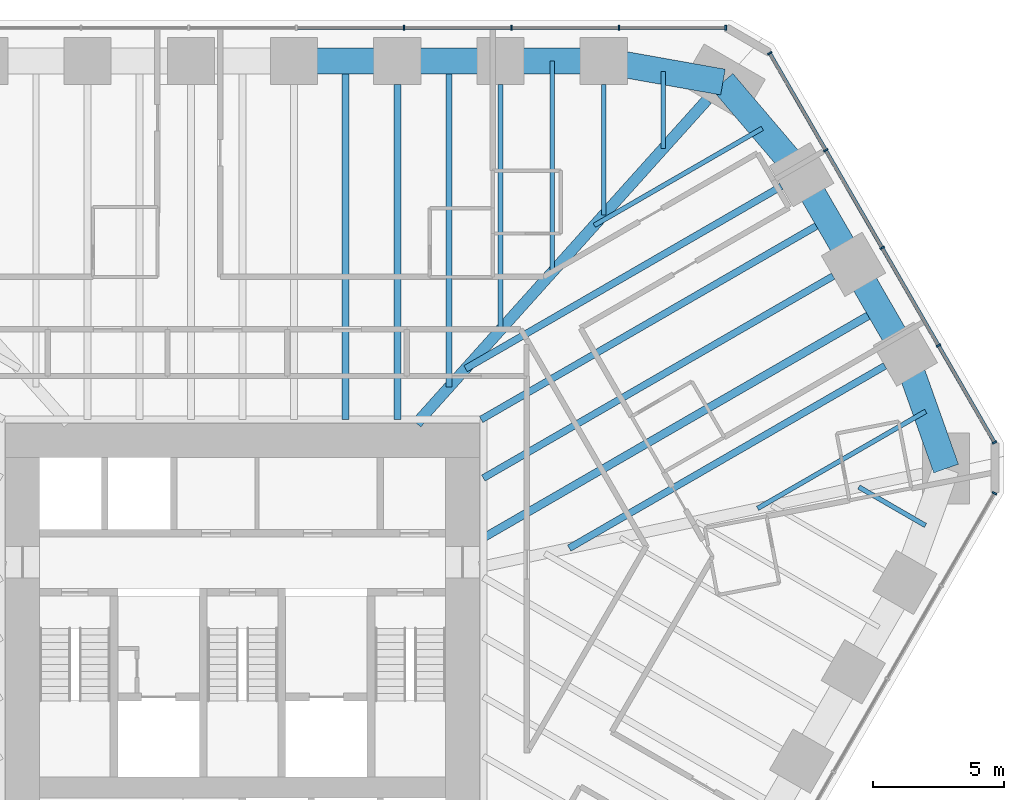
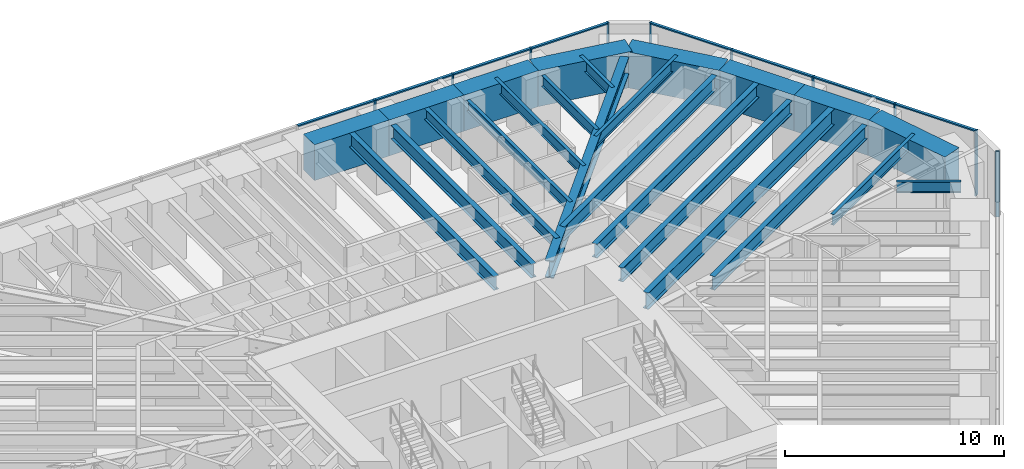
# One storey, part 9 of 17: 24 beams, 18 members, 3 elements without a shape of their own.
"""IFC4 building model written with IfcOpenShell, lengths in metres."""

from ifc_helpers import new_model, si_unit, direction, frame, origin, origin_2d, place, context, subcontext, project, spatial, rectangle, i_section, extrude, material, material_profile, profile_set, type_object, element, aggregate, save


model = new_model("IFC4")

# Units and contexts
model_context = context("Model", 3, precision=1e-05, world=origin(), true_north=direction((0.0, 1.0)))
body_context = subcontext(model_context, "Body", "Model", "MODEL_VIEW")
ifc_project = project(units=[si_unit("LENGTHUNIT", "METRE"), si_unit("AREAUNIT", "SQUARE_METRE"), si_unit("VOLUMEUNIT", "CUBIC_METRE"), si_unit("PLANEANGLEUNIT", "RADIAN"), si_unit("MASSUNIT", "GRAM", prefix="KILO")], contexts=[model_context])

# Site, building, storey
site_placement = place(None, origin())
site = spatial("IfcSite", under=ifc_project, at=site_placement, CompositionType="ELEMENT")
building_placement = place(site_placement, origin())
building = spatial("IfcBuilding", under=site, at=building_placement, Name="Sandreach Pilgrim Tower", CompositionType="ELEMENT")
storey_placement = place(building_placement, frame((0.0, 0.0, 146.199951171875)))
storey = spatial("IfcBuildingStorey", under=building, at=storey_placement, Name="L36", CompositionType="ELEMENT", Elevation=146.199951171875)

# Curtain wall, members
ifc_material_1 = material(Name="Aluminium framed curtain wall", Category="aluminium")
curtain_wall_type = type_object("IfcCurtainWallType", Name="Hotel tower curtain wall", PredefinedType="NOTDEFINED", material=ifc_material_1)
curtain_wall_1_placement = place(storey_placement, origin())
curtain_wall_1 = element("IfcCurtainWall", 1, at=curtain_wall_1_placement, inside=storey, type_object=curtain_wall_type, Name="CW-2 L36 N", PredefinedType="NOTDEFINED")
ifc_material_2 = material(Name="Aluminium extrusion", Category="aluminium")
ifc_material_profile_1 = material_profile(ifc_material_2, rectangle(XDim=0.06494140625, YDim=0.179931640625, at=origin_2d()), Name="CW-2M 65X180")
ifc_profile_set_1 = profile_set([ifc_material_profile_1], Name="Aluminium extrusion")
member_type_1 = type_object("IfcMemberType", Name="CW-2 mullion", PredefinedType="MULLION", material=ifc_profile_set_1)
member_1_placement = place(storey_placement, frame((6.160400390625, 22.493896484375, 0.0), z_axis=(0.0, 0.0, 1.0), x_axis=(1.0, 0.0, 0.0)))
member_1 = element("IfcMember", 2, at=member_1_placement, type_object=member_type_1, Name="CW-2 mullion 7", PredefinedType="MULLION", context=body_context, shape_type="SweptSolid", body=[
    extrude(rectangle(XDim=0.06494140625, YDim=0.179931640625, at=origin_2d()), origin(), (0.0, 0.0, 1.0), 3.64013671875),
])
member_2_placement = place(storey_placement, frame((10.267333984375, 22.493896484375, 0.0), z_axis=(0.0, 0.0, 1.0), x_axis=(1.0, 0.0, 0.0)))
member_2 = element("IfcMember", 3, at=member_2_placement, type_object=member_type_1, Name="CW-2 mullion 8", PredefinedType="MULLION", context=body_context, shape_type="SweptSolid", body=[
    extrude(rectangle(XDim=0.06494140625, YDim=0.179931640625, at=origin_2d()), origin(), (0.0, 0.0, 1.0), 3.64013671875),
])
member_3_placement = place(storey_placement, frame((14.37451171875, 22.493896484375, 0.0), z_axis=(0.0, 0.0, 1.0), x_axis=(1.0, 0.0, 0.0)))
member_3 = element("IfcMember", 4, at=member_3_placement, type_object=member_type_1, Name="CW-2 mullion 9", PredefinedType="MULLION", context=body_context, shape_type="SweptSolid", body=[
    extrude(rectangle(XDim=0.06494140625, YDim=0.179931640625, at=origin_2d()), origin(), (0.0, 0.0, 1.0), 3.64013671875),
])
member_4_placement = place(storey_placement, frame((18.448974609375, 22.493896484375, 0.0), z_axis=(0.0, 0.0, 1.0), x_axis=(1.0, 0.0, 0.0)))
member_4 = element("IfcMember", 5, at=member_4_placement, type_object=member_type_1, Name="CW-2 mullion 10", PredefinedType="MULLION", context=body_context, shape_type="SweptSolid", body=[
    extrude(rectangle(XDim=0.06494140625, YDim=0.179931640625, at=origin_2d()), origin(), (0.0, 0.0, 1.0), 3.64013671875),
])

curtain_wall_2_placement = place(storey_placement, origin())
curtain_wall_2 = element("IfcCurtainWall", 6, at=curtain_wall_2_placement, inside=storey, type_object=curtain_wall_type, Name="CW-2 L36 NE", PredefinedType="NOTDEFINED")
member_5_placement = place(storey_placement, frame((20.125732421875, 21.525634765625, 0.0), z_axis=(0.0, 0.0, 1.0), x_axis=(0.5, -0.866025403784, 0.0)))
member_5 = element("IfcMember", 7, at=member_5_placement, type_object=member_type_1, Name="CW-2 mullion 1", PredefinedType="MULLION", context=body_context, shape_type="SweptSolid", body=[
    extrude(rectangle(XDim=0.06494140625, YDim=0.179931640625, at=origin_2d()), origin(), (0.0, 0.0, 1.0), 3.64013671875),
])
member_6_placement = place(storey_placement, frame((22.262451171875, 17.824951171875, 0.0), z_axis=(0.0, 0.0, 1.0), x_axis=(0.5, -0.866025403784, 0.0)))
member_6 = element("IfcMember", 8, at=member_6_placement, type_object=member_type_1, Name="CW-2 mullion 2", PredefinedType="MULLION", context=body_context, shape_type="SweptSolid", body=[
    extrude(rectangle(XDim=0.06494140625, YDim=0.179931640625, at=origin_2d()), origin(), (0.0, 0.0, 1.0), 3.64013671875),
])
member_7_placement = place(storey_placement, frame((24.415283203125, 14.09619140625, 0.0), z_axis=(0.0, 0.0, 1.0), x_axis=(0.5, -0.866025403784, 0.0)))
member_7 = element("IfcMember", 9, at=member_7_placement, type_object=member_type_1, Name="CW-2 mullion 3", PredefinedType="MULLION", context=body_context, shape_type="SweptSolid", body=[
    extrude(rectangle(XDim=0.06494140625, YDim=0.179931640625, at=origin_2d()), origin(), (0.0, 0.0, 1.0), 3.64013671875),
])
member_8_placement = place(storey_placement, frame((26.568115234375, 10.3671875, 0.0), z_axis=(0.0, 0.0, 1.0), x_axis=(0.5, -0.866025403784, 0.0)))
member_8 = element("IfcMember", 10, at=member_8_placement, type_object=member_type_1, Name="CW-2 mullion 4", PredefinedType="MULLION", context=body_context, shape_type="SweptSolid", body=[
    extrude(rectangle(XDim=0.06494140625, YDim=0.179931640625, at=origin_2d()), origin(), (0.0, 0.0, 1.0), 3.64013671875),
])
member_9_placement = place(storey_placement, frame((28.70458984375, 6.66650390625, 0.0), z_axis=(0.0, 0.0, 1.0), x_axis=(0.5, -0.866025403784, 0.0)))
member_9 = element("IfcMember", 11, at=member_9_placement, type_object=member_type_1, Name="CW-2 mullion 5", PredefinedType="MULLION", context=body_context, shape_type="SweptSolid", body=[
    extrude(rectangle(XDim=0.06494140625, YDim=0.179931640625, at=origin_2d()), origin(), (0.0, 0.0, 1.0), 3.64013671875),
])

# Curtain wall, member
curtain_wall_3_placement = place(storey_placement, origin())
curtain_wall_3 = element("IfcCurtainWall", 12, at=curtain_wall_3_placement, inside=storey, type_object=curtain_wall_type, Name="CW-2 L36 SE", PredefinedType="NOTDEFINED")
member_10_placement = place(storey_placement, frame((28.70458984375, 4.730224609375, 0.0), z_axis=(0.0, 0.0, 1.0), x_axis=(-0.5, -0.866025403784, 0.0)))
member_10 = element("IfcMember", 13, at=member_10_placement, type_object=member_type_1, Name="CW-2 mullion 1", PredefinedType="MULLION", context=body_context, shape_type="SweptSolid", body=[
    extrude(rectangle(XDim=0.06494140625, YDim=0.179931640625, at=origin_2d()), origin(), (0.0, 0.0, 1.0), 3.64013671875),
])
aggregate(curtain_wall_3, [member_10])

# Member
ifc_material_3 = material(Name="Aluminium extrusion", Category="aluminium")
ifc_material_profile_2 = material_profile(ifc_material_3, rectangle(XDim=0.139892578125, YDim=0.070068359375, at=origin_2d()), Name="CW-2T 140X70")
ifc_profile_set_2 = profile_set([ifc_material_profile_2], Name="Aluminium extrusion")
member_type_2 = type_object("IfcMemberType", Name="CW-2 transom", PredefinedType="USERDEFINED", material=ifc_profile_set_2)
member_11_placement = place(storey_placement, frame((2.0859375, 22.493896484375, 3.60498046875), z_axis=(1.0, 0.0, 0.0), x_axis=(0.0, 1.0, 0.0)))
member_11 = element("IfcMember", 14, at=member_11_placement, type_object=member_type_2, Name="CW-2 head transom 6", ObjectType="TRANSOM", PredefinedType="USERDEFINED", context=body_context, shape_type="SweptSolid", body=[
    extrude(rectangle(XDim=0.139892578125, YDim=0.070068359375, at=origin_2d()), origin(), (0.0, 0.0, 1.0), 4.0419921875),
])

member_12_placement = place(storey_placement, frame((6.19287109375, 22.493896484375, 3.60498046875), z_axis=(1.0, 0.0, 0.0), x_axis=(0.0, 1.0, 0.0)))
member_12 = element("IfcMember", 15, at=member_12_placement, type_object=member_type_2, Name="CW-2 head transom 7", ObjectType="TRANSOM", PredefinedType="USERDEFINED", context=body_context, shape_type="SweptSolid", body=[
    extrude(rectangle(XDim=0.139892578125, YDim=0.070068359375, at=origin_2d()), origin(), (0.0, 0.0, 1.0), 4.0419921875),
])

member_13_placement = place(storey_placement, frame((10.300048828125, 22.493896484375, 3.60498046875), z_axis=(1.0, 0.0, 0.0), x_axis=(0.0, 1.0, 0.0)))
member_13 = element("IfcMember", 16, at=member_13_placement, type_object=member_type_2, Name="CW-2 head transom 8", ObjectType="TRANSOM", PredefinedType="USERDEFINED", context=body_context, shape_type="SweptSolid", body=[
    extrude(rectangle(XDim=0.139892578125, YDim=0.070068359375, at=origin_2d()), origin(), (0.0, 0.0, 1.0), 4.041748046875),
])

member_14_placement = place(storey_placement, frame((14.406982421875, 22.493896484375, 3.60498046875), z_axis=(1.0, 0.0, 0.0), x_axis=(0.0, 1.0, 0.0)))
member_14 = element("IfcMember", 17, at=member_14_placement, type_object=member_type_2, Name="CW-2 head transom 9", ObjectType="TRANSOM", PredefinedType="USERDEFINED", context=body_context, shape_type="SweptSolid", body=[
    extrude(rectangle(XDim=0.139892578125, YDim=0.070068359375, at=origin_2d()), origin(), (0.0, 0.0, 1.0), 4.00927734375),
])

aggregate(curtain_wall_1, [member_1, member_2, member_3, member_4, member_11, member_12, member_13, member_14])

member_15_placement = place(storey_placement, frame((20.14208984375, 21.49755859375, 3.60498046875), z_axis=(0.49997020258, -0.86604260665, 0.0), x_axis=(0.86604260665, 0.49997020258, 0.0)))
member_15 = element("IfcMember", 18, at=member_15_placement, type_object=member_type_2, Name="CW-2 head transom 1", ObjectType="TRANSOM", PredefinedType="USERDEFINED", context=body_context, shape_type="SweptSolid", body=[
    extrude(rectangle(XDim=0.139892578125, YDim=0.070068359375, at=origin_2d()), origin(), (0.0, 0.0, 1.0), 4.208251953125),
])

member_16_placement = place(storey_placement, frame((22.278564453125, 17.796875, 3.60498046875), z_axis=(0.499996541496, -0.866027400544, 0.0), x_axis=(0.866027400544, 0.499996541496, 0.0)))
member_16 = element("IfcMember", 19, at=member_16_placement, type_object=member_type_2, Name="CW-2 head transom 2", ObjectType="TRANSOM", PredefinedType="USERDEFINED", context=body_context, shape_type="SweptSolid", body=[
    extrude(rectangle(XDim=0.139892578125, YDim=0.070068359375, at=origin_2d()), origin(), (0.0, 0.0, 1.0), 4.24072265625),
])

member_17_placement = place(storey_placement, frame((24.431396484375, 14.06787109375, 3.60498046875), z_axis=(0.500021471012, -0.866013007135, 0.0), x_axis=(0.866013007135, 0.500021471012, 0.0)))
member_17 = element("IfcMember", 20, at=member_17_placement, type_object=member_type_2, Name="CW-2 head transom 3", ObjectType="TRANSOM", PredefinedType="USERDEFINED", context=body_context, shape_type="SweptSolid", body=[
    extrude(rectangle(XDim=0.139892578125, YDim=0.070068359375, at=origin_2d()), origin(), (0.0, 0.0, 1.0), 4.240478515625),
])

member_18_placement = place(storey_placement, frame((26.584228515625, 10.339111328125, 3.60498046875), z_axis=(0.500038835258, -0.866002981077, 0.0), x_axis=(0.866002981077, 0.500038835258, 0.0)))
member_18 = element("IfcMember", 21, at=member_18_placement, type_object=member_type_2, Name="CW-2 head transom 4", ObjectType="TRANSOM", PredefinedType="USERDEFINED", context=body_context, shape_type="SweptSolid", body=[
    extrude(rectangle(XDim=0.139892578125, YDim=0.070068359375, at=origin_2d()), origin(), (0.0, 0.0, 1.0), 4.208251953125),
])

aggregate(curtain_wall_2, [member_5, member_6, member_7, member_8, member_9, member_15, member_16, member_17, member_18])

# Beams
ifc_material_4 = material(Name="Steel ASTM A992 Grade 50", Category="steel")
ifc_material_profile_3 = material_profile(ifc_material_4, i_section(OverallWidth=0.424072265625, OverallDepth=0.965087890625, WebThickness=0.028564453125, FlangeThickness=0.051025390625, at=origin_2d()), Name="W36X361")
ifc_profile_set_3 = profile_set([ifc_material_profile_3], Name="Steel ASTM A992 Grade 50")
beam_type_1 = type_object("IfcBeamType", Name="Corner girder W36X361", PredefinedType="BEAM", material=ifc_profile_set_3)
beam_1_placement = place(storey_placement, frame((17.738037109375, 19.754150390625, 3.157470703125), z_axis=(-0.66811374471, -0.74405915365, 0.0), x_axis=(0.74405915365, -0.66811374471, 0.0)))
element("IfcBeam", 22, at=beam_1_placement, inside=storey, type_object=beam_type_1, Name="BM L36 CG09", PredefinedType="BEAM", context=body_context, shape_type="SweptSolid", body=[
    extrude(i_section(OverallWidth=0.424072265625, OverallDepth=0.965087890625, WebThickness=0.028564453125, FlangeThickness=0.051025390625, at=origin_2d()), origin(), (0.0, 0.0, 1.0), 16.603759765625),
])
ifc_material_5 = material(Name="Steel ASTM A992 Grade 50", Category="steel")
ifc_material_profile_4 = material_profile(ifc_material_5, i_section(OverallWidth=0.1787109375, OverallDepth=0.60205078125, WebThickness=0.010986328125, FlangeThickness=0.014892578125, at=origin_2d()), Name="W24X62")
ifc_profile_set_4 = profile_set([ifc_material_profile_4], Name="Steel ASTM A992 Grade 50")
beam_type_2 = type_object("IfcBeamType", Name="Floor beam W24X62", PredefinedType="BEAM", material=ifc_profile_set_4)
beam_2_placement = place(storey_placement, frame((9.849853515625, 20.333740234375, 3.339111328125), z_axis=(0.0, -1.0, 0.0), x_axis=(1.0, 0.0, 0.0)))
element("IfcBeam", 23, at=beam_2_placement, inside=storey, type_object=beam_type_2, Name="BM L36 F07", PredefinedType="BEAM", context=body_context, shape_type="SweptSolid", body=[
    extrude(i_section(OverallWidth=0.1787109375, OverallDepth=0.60205078125, WebThickness=0.010986328125, FlangeThickness=0.014892578125, at=origin_2d()), origin(), (0.0, 0.0, 1.0), 9.3642578125),
])
beam_3_placement = place(storey_placement, frame((13.789794921875, 20.333740234375, 3.339111328125), z_axis=(0.0, -1.0, 0.0), x_axis=(1.0, 0.0, 0.0)))
element("IfcBeam", 24, at=beam_3_placement, inside=storey, type_object=beam_type_2, Name="BM L36 F08", PredefinedType="BEAM", context=body_context, shape_type="SweptSolid", body=[
    extrude(i_section(OverallWidth=0.1787109375, OverallDepth=0.60205078125, WebThickness=0.010986328125, FlangeThickness=0.014892578125, at=origin_2d()), origin(), (0.0, 0.0, 1.0), 4.9765625),
])
beam_4_placement = place(storey_placement, frame((11.81982421875, 21.23388671875, 3.339111328125), z_axis=(0.0, -1.0, 0.0), x_axis=(1.0, 0.0, 0.0)))
element("IfcBeam", 25, at=beam_4_placement, inside=storey, type_object=beam_type_2, Name="BM L36 FM07", PredefinedType="BEAM", context=body_context, shape_type="SweptSolid", body=[
    extrude(i_section(OverallWidth=0.1787109375, OverallDepth=0.60205078125, WebThickness=0.010986328125, FlangeThickness=0.014892578125, at=origin_2d()), origin(), (0.0, 0.0, 1.0), 8.070556640625),
])
beam_5_placement = place(storey_placement, frame((16.064697265625, 20.828857421875, 3.339111328125), z_axis=(0.0, -1.0, 0.0), x_axis=(1.0, 0.0, 0.0)))
element("IfcBeam", 26, at=beam_5_placement, inside=storey, type_object=beam_type_2, Name="BM L36 FM08", PredefinedType="BEAM", context=body_context, shape_type="SweptSolid", body=[
    extrude(i_section(OverallWidth=0.1787109375, OverallDepth=0.60205078125, WebThickness=0.010986328125, FlangeThickness=0.014892578125, at=origin_2d()), origin(), (0.0, 0.0, 1.0), 2.938232421875),
])
for number, where, z_axis, x_axis, name in (
    (27, (19.8427734375, 18.65771484375, 3.339111328125), (-0.866025875064, -0.499999183719, 0.0), (0.499999183719, -0.866025875064, 0.0), "BM L36 FM09"),
    (28, (26.079345703125, 7.855712890625, 3.339111328125), (-0.866025875064, -0.499999183719, 0.0), (0.499999183719, -0.866025875064, 0.0), "BM L36 FM12"),
):
    element("IfcBeam", number, at=place(storey_placement, frame(where, z_axis=z_axis, x_axis=x_axis)), inside=storey, type_object=beam_type_2, Name=name, PredefinedType="BEAM", context=body_context, shape_type="SweptSolid", body=[
        extrude(i_section(OverallWidth=0.1787109375, OverallDepth=0.60205078125, WebThickness=0.010986328125, FlangeThickness=0.014892578125, at=origin_2d()), origin(), (0.0, 0.0, 1.0), 7.40771484375),
    ])
beam_6_placement = place(storey_placement, frame((26.070556640625, 3.498046875, 3.339111328125), z_axis=(-0.866051374412, 0.499955014855, 0.0), x_axis=(-0.499955014855, -0.866051374412, 0.0)))
element("IfcBeam", 29, at=beam_6_placement, inside=storey, type_object=beam_type_2, Name="BM L36 FM13", PredefinedType="BEAM", context=body_context, shape_type="SweptSolid", body=[
    extrude(i_section(OverallWidth=0.1787109375, OverallDepth=0.60205078125, WebThickness=0.010986328125, FlangeThickness=0.014892578125, at=origin_2d()), origin(), (0.0, 0.0, 1.0), 2.938232421875),
])
ifc_material_6 = material(Name="Steel ASTM A992 Grade 50", Category="steel")
ifc_material_profile_5 = material_profile(ifc_material_6, i_section(OverallWidth=0.23046875, OverallDepth=0.6171875, WebThickness=0.01318359375, FlangeThickness=0.022216796875, at=origin_2d()), Name="W24X94")
ifc_profile_set_5 = profile_set([ifc_material_profile_5], Name="Steel ASTM A992 Grade 50")
beam_type_3 = type_object("IfcBeamType", Name="Floor beam W24X94", PredefinedType="BEAM", material=ifc_profile_set_5)
beam_7_placement = place(storey_placement, frame((7.8798828125, 21.23388671875, 3.33154296875), z_axis=(0.0, -1.0, 0.0), x_axis=(1.0, 0.0, 0.0)))
element("IfcBeam", 30, at=beam_7_placement, inside=storey, type_object=beam_type_3, Name="BM L36 FM06", PredefinedType="BEAM", context=body_context, shape_type="SweptSolid", body=[
    extrude(i_section(OverallWidth=0.23046875, OverallDepth=0.6171875, WebThickness=0.01318359375, FlangeThickness=0.022216796875, at=origin_2d()), origin(), (0.0, 0.0, 1.0), 12.458251953125),
])
ifc_material_7 = material(Name="Steel ASTM A992 Grade 50", Category="steel")
ifc_material_profile_6 = material_profile(ifc_material_7, i_section(OverallWidth=0.2666015625, OverallDepth=0.761962890625, WebThickness=0.014404296875, FlangeThickness=0.021484375, at=origin_2d()), Name="W30X116")
ifc_profile_set_6 = profile_set([ifc_material_profile_6], Name="Steel ASTM A992 Grade 50")
beam_type_4 = type_object("IfcBeamType", Name="Floor beam W30X116", PredefinedType="BEAM", material=ifc_profile_set_6)
beam_8_placement = place(storey_placement, frame((5.909912109375, 20.333740234375, 3.259033203125), z_axis=(0.0, -1.0, 0.0), x_axis=(1.0, 0.0, 0.0)))
element("IfcBeam", 31, at=beam_8_placement, inside=storey, type_object=beam_type_4, Name="BM L36 F06", PredefinedType="BEAM", context=body_context, shape_type="SweptSolid", body=[
    extrude(i_section(OverallWidth=0.2666015625, OverallDepth=0.761962890625, WebThickness=0.014404296875, FlangeThickness=0.021484375, at=origin_2d()), origin(), (0.0, 0.0, 1.0), 12.790283203125),
])
beam_9_placement = place(storey_placement, frame((20.56689453125, 16.44140625, 3.259033203125), z_axis=(-0.866022263426, -0.500005439221, 0.0), x_axis=(0.500005439221, -0.866022263426, 0.0)))
element("IfcBeam", 32, at=beam_9_placement, inside=storey, type_object=beam_type_4, Name="BM L36 F10", PredefinedType="BEAM", context=body_context, shape_type="SweptSolid", body=[
    extrude(i_section(OverallWidth=0.2666015625, OverallDepth=0.761962890625, WebThickness=0.014404296875, FlangeThickness=0.021484375, at=origin_2d()), origin(), (0.0, 0.0, 1.0), 13.915283203125),
])
beam_10_placement = place(storey_placement, frame((24.522216796875, 9.5908203125, 3.259033203125), z_axis=(-0.866026649588, -0.499997842199, 0.0), x_axis=(0.499997842199, -0.866026649588, 0.0)))
element("IfcBeam", 33, at=beam_10_placement, inside=storey, type_object=beam_type_4, Name="BM L36 F12", PredefinedType="BEAM", context=body_context, shape_type="SweptSolid", body=[
    extrude(i_section(OverallWidth=0.2666015625, OverallDepth=0.761962890625, WebThickness=0.014404296875, FlangeThickness=0.021484375, at=origin_2d()), origin(), (0.0, 0.0, 1.0), 13.91552734375),
])
beam_11_placement = place(storey_placement, frame((3.93994140625, 21.23388671875, 3.259033203125), z_axis=(0.0, -1.0, 0.0), x_axis=(1.0, 0.0, 0.0)))
element("IfcBeam", 34, at=beam_11_placement, inside=storey, type_object=beam_type_4, Name="BM L36 FM05", PredefinedType="BEAM", context=body_context, shape_type="SweptSolid", body=[
    extrude(i_section(OverallWidth=0.2666015625, OverallDepth=0.761962890625, WebThickness=0.014404296875, FlangeThickness=0.021484375, at=origin_2d()), origin(), (0.0, 0.0, 1.0), 13.6904296875),
])
ifc_material_8 = material(Name="Steel ASTM A992 Grade 50", Category="steel")
ifc_material_profile_7 = material_profile(ifc_material_8, i_section(OverallWidth=0.2666015625, OverallDepth=0.77978515625, WebThickness=0.0166015625, FlangeThickness=0.030029296875, at=origin_2d()), Name="W30X148")
ifc_profile_set_7 = profile_set([ifc_material_profile_7], Name="Steel ASTM A992 Grade 50")
beam_type_5 = type_object("IfcBeamType", Name="Floor beam W30X148", PredefinedType="BEAM", material=ifc_profile_set_7)
beam_12_placement = place(storey_placement, frame((22.544677734375, 13.01611328125, 3.250244140625), z_axis=(-0.866029203842, -0.49999341805, 0.0), x_axis=(0.49999341805, -0.866029203842, 0.0)))
element("IfcBeam", 35, at=beam_12_placement, inside=storey, type_object=beam_type_5, Name="BM L36 F11", PredefinedType="BEAM", context=body_context, shape_type="SweptSolid", body=[
    extrude(i_section(OverallWidth=0.2666015625, OverallDepth=0.77978515625, WebThickness=0.0166015625, FlangeThickness=0.030029296875, at=origin_2d()), origin(), (0.0, 0.0, 1.0), 15.416748046875),
])
beam_13_placement = place(storey_placement, frame((22.335205078125, 15.1787109375, 3.250244140625), z_axis=(-0.866028773314, -0.499994163758, 0.0), x_axis=(0.499994163758, -0.866028773314, 0.0)))
element("IfcBeam", 36, at=beam_13_placement, inside=storey, type_object=beam_type_5, Name="BM L36 FM10", PredefinedType="BEAM", context=body_context, shape_type="SweptSolid", body=[
    extrude(i_section(OverallWidth=0.2666015625, OverallDepth=0.77978515625, WebThickness=0.0166015625, FlangeThickness=0.030029296875, at=origin_2d()), origin(), (0.0, 0.0, 1.0), 15.270751953125),
])
ifc_material_9 = material(Name="Steel ASTM A992 Grade 50", Category="steel")
ifc_material_profile_8 = material_profile(ifc_material_9, i_section(OverallWidth=0.3046875, OverallDepth=0.914306640625, WebThickness=0.0166015625, FlangeThickness=0.02587890625, at=origin_2d()), Name="W36X160")
ifc_profile_set_8 = profile_set([ifc_material_profile_8], Name="Steel ASTM A992 Grade 50")
beam_type_6 = type_object("IfcBeamType", Name="Floor beam W36X160", PredefinedType="BEAM", material=ifc_profile_set_8)
beam_14_placement = place(storey_placement, frame((24.312744140625, 11.75341796875, 3.182861328125), z_axis=(-0.866023737483, -0.500002886107, 0.0), x_axis=(0.500002886107, -0.866023737483, 0.0)))
element("IfcBeam", 37, at=beam_14_placement, inside=storey, type_object=beam_type_6, Name="BM L36 FM11", PredefinedType="BEAM", context=body_context, shape_type="SweptSolid", body=[
    extrude(i_section(OverallWidth=0.3046875, OverallDepth=0.914306640625, WebThickness=0.0166015625, FlangeThickness=0.02587890625, at=origin_2d()), origin(), (0.0, 0.0, 1.0), 17.45849609375),
])
ifc_material_10 = material(Name="Concrete 10000 psi", Category="concrete")
ifc_material_profile_9 = material_profile(ifc_material_10, rectangle(XDim=1.0, YDim=2.0, at=origin_2d()), Name="RC1000X2000")
ifc_profile_set_9 = profile_set([ifc_material_profile_9], Name="Concrete 10000 psi")
beam_type_7 = type_object("IfcBeamType", Name="Spandrel beam RC1000X2000", PredefinedType="SPANDREL", material=ifc_profile_set_9)
for number, where, z_axis, x_axis, name in (
    (38, (1.969970703125, 21.23388671875, 2.64013671875), (1.0, 0.0, 0.0), (0.0, 1.0, 0.0), "BM L36 SP05"),
    (39, (5.909912109375, 21.23388671875, 2.64013671875), (1.0, 0.0, 0.0), (0.0, 1.0, 0.0), "BM L36 SP06"),
    (40, (9.849853515625, 21.23388671875, 2.64013671875), (1.0, 0.0, 0.0), (0.0, 1.0, 0.0), "BM L36 SP07"),
):
    element("IfcBeam", number, at=place(storey_placement, frame(where, z_axis=z_axis, x_axis=x_axis)), inside=storey, type_object=beam_type_7, Name=name, PredefinedType="SPANDREL", context=body_context, shape_type="SweptSolid", body=[
        extrude(rectangle(XDim=1.0, YDim=2.0, at=origin_2d()), origin(), (0.0, 0.0, 1.0), 3.93994140625),
    ])
beam_15_placement = place(storey_placement, frame((13.789794921875, 21.23388671875, 2.64013671875), z_axis=(0.984515938739, -0.175295083699, 0.0), x_axis=(0.175295083699, 0.984515938739, 0.0)))
element("IfcBeam", 41, at=beam_15_placement, inside=storey, type_object=beam_type_7, Name="BM L36 SP08", PredefinedType="SPANDREL", context=body_context, shape_type="SweptSolid", body=[
    extrude(rectangle(XDim=1.0, YDim=2.0, at=origin_2d()), origin(), (0.0, 0.0, 1.0), 4.62109375),
])
beam_16_placement = place(storey_placement, frame((18.33935546875, 20.423828125, 2.64013671875), z_axis=(0.648208888384, -0.761462564425, 0.0), x_axis=(0.761462564425, 0.648208888384, 0.0)))
element("IfcBeam", 42, at=beam_16_placement, inside=storey, type_object=beam_type_7, Name="BM L36 SP09", PredefinedType="SPANDREL", context=body_context, shape_type="SweptSolid", body=[
    extrude(rectangle(XDim=1.0, YDim=2.0, at=origin_2d()), origin(), (0.0, 0.0, 1.0), 4.63916015625),
])
for number, where, z_axis, x_axis, name in (
    (43, (21.346435546875, 16.891357421875, 2.64013671875), (0.499989616998, -0.866031398331, 0.0), (0.866031398331, 0.499989616998, 0.0), "BM L36 SP10"),
    (44, (23.323974609375, 13.466064453125, 2.64013671875), (0.499989616998, -0.866031398331, 0.0), (0.866031398331, 0.499989616998, 0.0), "BM L36 SP11"),
):
    element("IfcBeam", number, at=place(storey_placement, frame(where, z_axis=z_axis, x_axis=x_axis)), inside=storey, type_object=beam_type_7, Name=name, PredefinedType="SPANDREL", context=body_context, shape_type="SweptSolid", body=[
        extrude(rectangle(XDim=1.0, YDim=2.0, at=origin_2d()), origin(), (0.0, 0.0, 1.0), 3.955078125),
    ])
beam_17_placement = place(storey_placement, frame((25.301513671875, 10.040771484375, 2.64013671875), z_axis=(0.335346041399, -0.942095023083, 0.0), x_axis=(0.942095023083, 0.335346041399, 0.0)))
element("IfcBeam", 45, at=beam_17_placement, inside=storey, type_object=beam_type_7, Name="BM L36 SP12", PredefinedType="SPANDREL", context=body_context, shape_type="SweptSolid", body=[
    extrude(rectangle(XDim=1.0, YDim=2.0, at=origin_2d()), origin(), (0.0, 0.0, 1.0), 4.638916015625),
])

save(model, "model.ifc")
